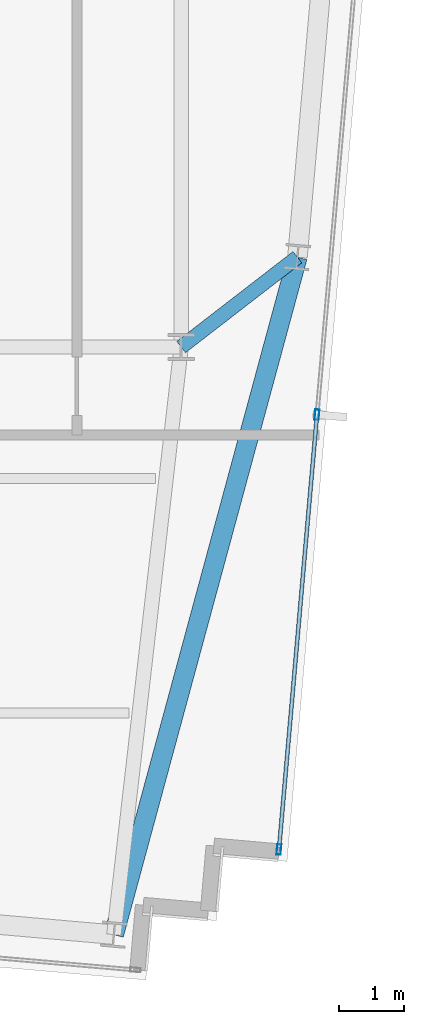
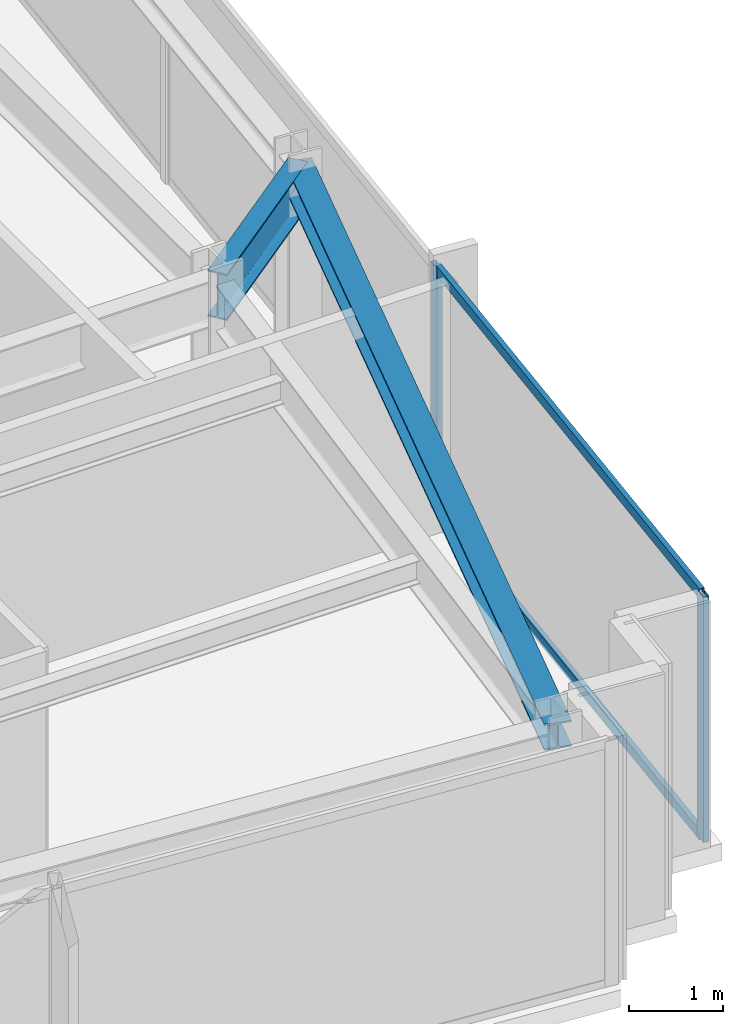
# One storey, part 16 of 33: 4 members, 2 beams, 1 element without a shape of its own.
"""IFC4 building model written with IfcOpenShell, lengths in metres."""

from ifc_helpers import new_model, si_unit, direction, frame, origin, origin_2d, place, context, subcontext, project, spatial, hollow_rectangle, i_section, extrude, material, material_profile, profile_set, type_object, element, aggregate, save


model = new_model("IFC4")

# Units and contexts
model_context = context("Model", 3, precision=1e-05, world=origin(), true_north=direction((0.0, 1.0)))
body_context = subcontext(model_context, "Body", "Model", "MODEL_VIEW")
ifc_project = project(units=[si_unit("LENGTHUNIT", "METRE"), si_unit("AREAUNIT", "SQUARE_METRE"), si_unit("VOLUMEUNIT", "CUBIC_METRE"), si_unit("PLANEANGLEUNIT", "RADIAN"), si_unit("MASSUNIT", "GRAM", prefix="KILO")], contexts=[model_context])

# Site, building, storey
site_placement = place(None, origin())
site = spatial("IfcSite", under=ifc_project, at=site_placement, CompositionType="ELEMENT")
building_placement = place(site_placement, origin())
building = spatial("IfcBuilding", under=site, at=building_placement, Name="Yelkora Congress Tower", CompositionType="ELEMENT")
storey_placement = place(building_placement, frame((0.0, 0.0, 282.89990234375)))
storey = spatial("IfcBuildingStorey", under=building, at=storey_placement, Name="L79", CompositionType="ELEMENT", Elevation=282.89990234375)

# Beams
ifc_material_1 = material(Name="Steel S355J2", Category="steel")
ifc_material_profile_1 = material_profile(ifc_material_1, i_section(OverallWidth=0.219970703125, OverallDepth=0.60009765625, WebThickness=0.011962890625, FlangeThickness=0.01904296875, FilletRadius=0.02392578125, at=origin_2d()), Name="IPE 600")
ifc_profile_set_1 = profile_set([ifc_material_profile_1], Name="Steel S355J2")
beam_type_1 = type_object("IfcBeamType", Name="BM-GIRD-IPE600", PredefinedType="BEAM", material=ifc_profile_set_1)
beam_1_placement = place(storey_placement, frame((55.543701171875, 26.57861328125, 2.880126953125), z_axis=(-0.791208781933, -0.611546125318, 0.0), x_axis=(0.611546125318, -0.791208781933, 0.0)))
element("IfcBeam", 1, at=beam_1_placement, inside=storey, type_object=beam_type_1, Name="L79 Primary Frame Girder E01", PredefinedType="BEAM", context=body_context, shape_type="SweptSolid", body=[
    extrude(i_section(OverallWidth=0.219970703125, OverallDepth=0.60009765625, WebThickness=0.011962890625, FlangeThickness=0.01904296875, FilletRadius=0.02392578125, at=origin_2d()), origin(), (0.0, 0.0, 1.0), 2.25439453125),
])
ifc_material_profile_2 = material_profile(ifc_material_1, i_section(OverallWidth=0.300048828125, OverallDepth=0.340087890625, WebThickness=0.011962890625, FlangeThickness=0.021484375, FilletRadius=0.027099609375, at=origin_2d()), Name="HEB 340")
ifc_profile_set_2 = profile_set([ifc_material_profile_2], Name="Steel S355J2")
beam_type_2 = type_object("IfcBeamType", Name="BM-SPAN-HEB340", PredefinedType="SPANDREL", material=ifc_profile_set_2)
beam_2_placement = place(storey_placement, frame((52.727294921875, 16.1845703125, 3.010009765625), z_axis=(0.261532523212, 0.965194663942, 0.0), x_axis=(-0.965194663942, 0.261532523212, 0.0)))
element("IfcBeam", 2, at=beam_2_placement, inside=storey, type_object=beam_type_2, Name="L79 Perimeter Beam 7", PredefinedType="SPANDREL", context=body_context, shape_type="SweptSolid", body=[
    extrude(i_section(OverallWidth=0.300048828125, OverallDepth=0.340087890625, WebThickness=0.011962890625, FlangeThickness=0.021484375, FilletRadius=0.027099609375, at=origin_2d()), origin(), (0.0, 0.0, 1.0), 10.768798828125),
])

# Curtain wall, members
ifc_material_2 = material(Name="Anodised aluminium and insulated glass", Category="aluminium")
curtain_wall_type = type_object("IfcCurtainWallType", Name="CW-SYS-B5", PredefinedType="NOTDEFINED", material=ifc_material_2)
curtain_wall_placement = place(storey_placement, origin())
curtain_wall = element("IfcCurtainWall", 3, at=curtain_wall_placement, inside=storey, type_object=curtain_wall_type, Name="L79 Unitised Curtain Wall 15", PredefinedType="NOTDEFINED")
ifc_material_3 = material(Name="Anodised aluminium 6063-T6", Category="aluminium")
ifc_material_profile_3 = material_profile(ifc_material_3, hollow_rectangle(XDim=0.06494140625, YDim=0.159912109375, WallThickness=0.00390625, at=origin_2d()), Name="ALU 65x160x4")
ifc_profile_set_3 = profile_set([ifc_material_profile_3], Name="Anodised aluminium 6063-T6")
member_type_1 = type_object("IfcMemberType", Name="MEM-ML-B5", PredefinedType="MULLION", material=ifc_profile_set_3)
member_1_placement = place(storey_placement, frame((55.844482421875, 24.1630859375, 0.0), z_axis=(0.0, 0.0, 1.0), x_axis=(0.996194463398, -0.087158425264, 0.0)))
member_1 = element("IfcMember", 4, at=member_1_placement, type_object=member_type_1, Name="CW-B5 mullion 4", PredefinedType="MULLION", context=body_context, shape_type="SweptSolid", body=[
    extrude(hollow_rectangle(XDim=0.06494140625, YDim=0.159912109375, WallThickness=0.00390625, at=origin_2d()), origin(), (0.0, 0.0, 1.0), 3.18017578125),
])
member_2_placement = place(storey_placement, frame((55.2607421875, 17.4912109375, 0.0), z_axis=(0.0, 0.0, 1.0), x_axis=(0.996194463398, -0.087158425264, 0.0)))
member_2 = element("IfcMember", 5, at=member_2_placement, type_object=member_type_1, Name="CW-B5 mullion 5", PredefinedType="MULLION", context=body_context, shape_type="SweptSolid", body=[
    extrude(hollow_rectangle(XDim=0.06494140625, YDim=0.159912109375, WallThickness=0.00390625, at=origin_2d()), origin(), (0.0, 0.0, 1.0), 3.18017578125),
])
ifc_material_profile_4 = material_profile(ifc_material_3, hollow_rectangle(XDim=0.06005859375, YDim=0.1298828125, WallThickness=0.00390625, at=origin_2d()), Name="ALU 60x130x4")
ifc_profile_set_4 = profile_set([ifc_material_profile_4], Name="Anodised aluminium 6063-T6")
member_type_2 = type_object("IfcMemberType", Name="MEM-TR-B5", PredefinedType="USERDEFINED", material=ifc_profile_set_4)
member_3_placement = place(storey_placement, frame((55.841552734375, 24.130859375, 0.030029296875), z_axis=(-0.087163297365, -0.996194037119, 0.0), x_axis=(0.996194037119, -0.087163297365, 0.0)))
member_3 = element("IfcMember", 6, at=member_3_placement, type_object=member_type_2, Name="CW-B5 transom 4.1", ObjectType="TRANSOM", PredefinedType="USERDEFINED", context=body_context, shape_type="SweptSolid", body=[
    extrude(hollow_rectangle(XDim=0.06005859375, YDim=0.1298828125, WallThickness=0.00390625, at=origin_2d()), origin(), (0.0, 0.0, 1.0), 6.632568359375),
])
member_4_placement = place(storey_placement, frame((55.841552734375, 24.130859375, 3.150146484375), z_axis=(-0.087163297365, -0.996194037119, 0.0), x_axis=(0.996194037119, -0.087163297365, 0.0)))
member_4 = element("IfcMember", 7, at=member_4_placement, type_object=member_type_2, Name="CW-B5 transom 4.2", ObjectType="TRANSOM", PredefinedType="USERDEFINED", context=body_context, shape_type="SweptSolid", body=[
    extrude(hollow_rectangle(XDim=0.06005859375, YDim=0.1298828125, WallThickness=0.00390625, at=origin_2d()), origin(), (0.0, 0.0, 1.0), 6.632568359375),
])
aggregate(curtain_wall, [member_1, member_2, member_3, member_4])

save(model, "model.ifc")
